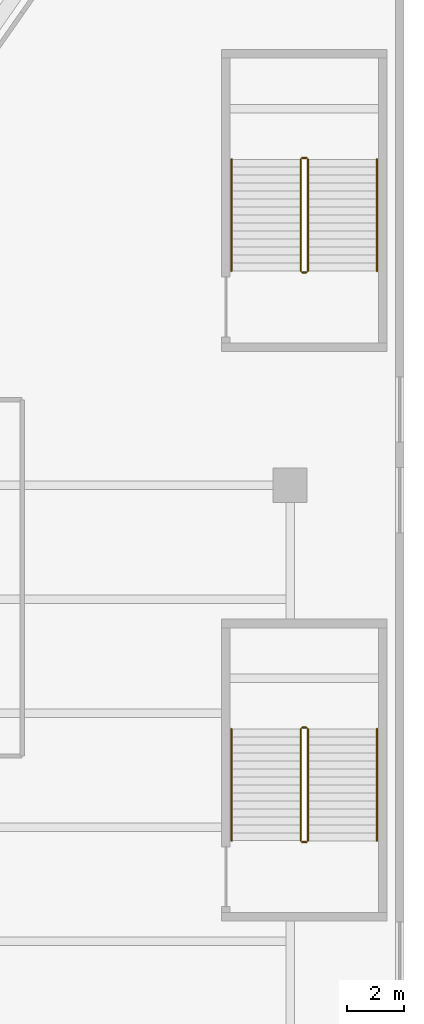
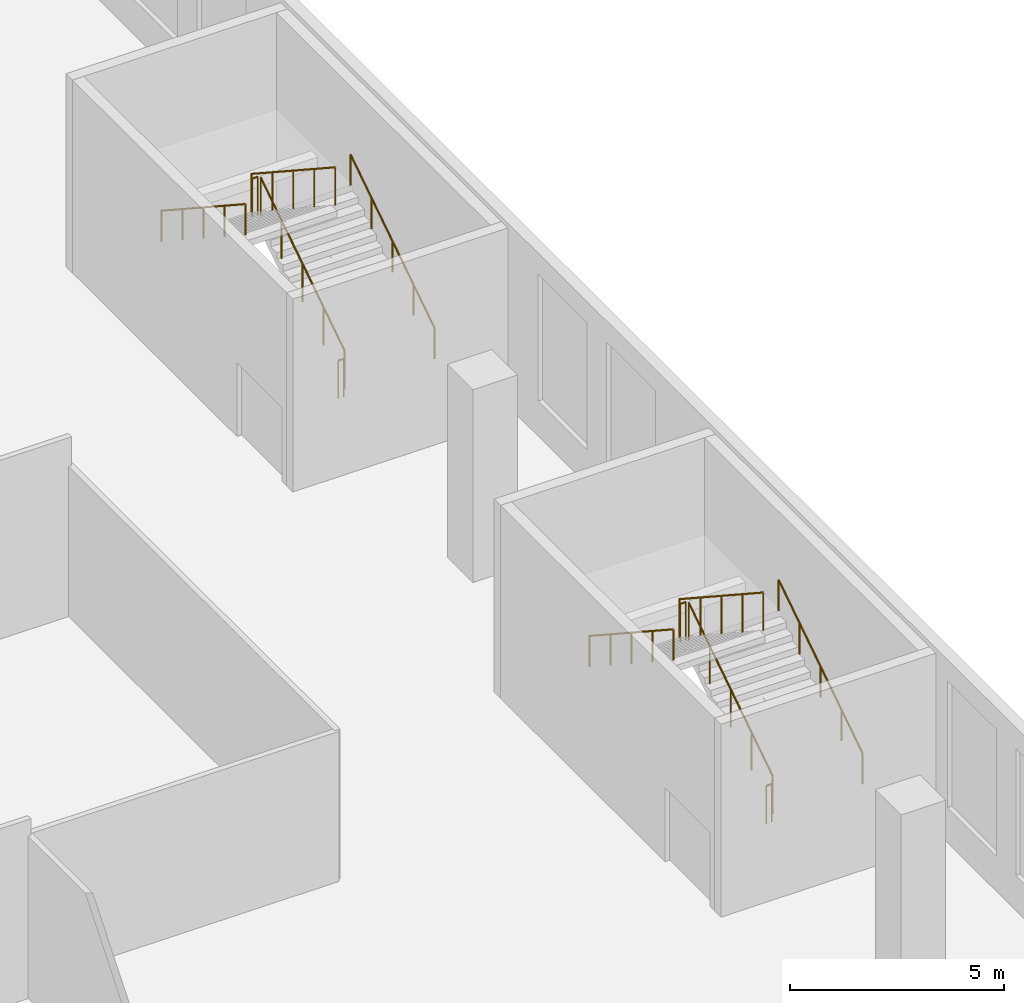
# One storey, part 23 of 26: 12 railings.
"""IFC4 building model written with IfcOpenShell, lengths in metres."""

from ifc_helpers import new_model, si_unit, direction, frame, origin, origin_2d, place, context, subcontext, project, spatial, circle, extrude, material, type_object, element, save


model = new_model("IFC4")

# Units and contexts
model_context = context("Model", 3, precision=1e-05, world=origin(), true_north=direction((0.0, 1.0)))
body_context = subcontext(model_context, "Body", "Model", "MODEL_VIEW")
ifc_project = project(units=[si_unit("LENGTHUNIT", "METRE"), si_unit("AREAUNIT", "SQUARE_METRE"), si_unit("VOLUMEUNIT", "CUBIC_METRE"), si_unit("PLANEANGLEUNIT", "RADIAN"), si_unit("MASSUNIT", "GRAM", prefix="KILO")], contexts=[model_context])

# Site, building, storey
site_placement = place(None, origin())
site = spatial("IfcSite", under=ifc_project, at=site_placement, CompositionType="ELEMENT")
building_placement = place(site_placement, origin())
building = spatial("IfcBuilding", under=site, at=building_placement, Name="Tel Ilan Convention Tower", CompositionType="ELEMENT")
storey_placement = place(building_placement, frame((0.0, 0.0, 37.5)))
storey = spatial("IfcBuildingStorey", under=building, at=storey_placement, Name="L05", CompositionType="ELEMENT", Elevation=37.5)

# Railings
ifc_material_1 = material(Name="Stainless Steel Grade 316", Category="steel")
railing_type_1 = type_object("IfcRailingType", Name="Stainless Steel Stair Guard 1100 mm", PredefinedType="GUARDRAIL", material=ifc_material_1)
railing_1_placement = place(storey_placement, frame((46.625, -60.47509765625, 0.183349609375)))
element("IfcRailing", 1, at=railing_1_placement, inside=storey, type_object=railing_type_1, Name="L05 P6 stair guard 1", PredefinedType="GUARDRAIL", context=body_context, shape_type="SweptSolid", body=[
    extrude(circle(Radius=0.02392578125, at=origin_2d()), frame((0.0, 0.0, 1.076171875), z_axis=(0.0, 0.836630751959, 0.54776727255), x_axis=(-1.0, 0.0, 0.0)), (0.0, 0.0, 1.0), 4.685546875),
    extrude(circle(Radius=0.02099609375, at=origin_2d()), origin(), (0.0, 0.0, 1.0), 1.052001953125),
    extrude(circle(Radius=0.02099609375, at=origin_2d()), frame((0.0, 0.97998046875, 0.6416015625)), (0.0, 0.0, 1.0), 1.052001953125),
    extrude(circle(Radius=0.02099609375, at=origin_2d()), frame((0.0, 1.9599609375, 1.283203125)), (0.0, 0.0, 1.0), 1.052001953125),
    extrude(circle(Radius=0.02099609375, at=origin_2d()), frame((0.0, 2.940185546875, 1.925048828125)), (0.0, 0.0, 1.0), 1.052001953125),
    extrude(circle(Radius=0.02099609375, at=origin_2d()), frame((0.0, 3.920166015625, 2.566650390625)), (0.0, 0.0, 1.0), 1.052001953125),
])
railing_2_placement = place(storey_placement, frame((46.574951171875, -56.5048828125, 2.75)))
element("IfcRailing", 2, at=railing_2_placement, inside=storey, type_object=railing_type_1, Name="L05 P6 stair guard 2", PredefinedType="GUARDRAIL", context=body_context, shape_type="SweptSolid", body=[
    extrude(circle(Radius=0.02392578125, at=origin_2d()), frame((0.0, 0.0, 1.076171875), z_axis=(-1.0, 0.0, 0.0), x_axis=(0.0, -1.0, 0.0)), (0.0, 0.0, 1.0), 0.14990234375),
    extrude(circle(Radius=0.02099609375, at=origin_2d()), origin(), (0.0, 0.0, 1.0), 1.052001953125),
    extrude(circle(Radius=0.02099609375, at=origin_2d()), frame((-0.14990234375, 0.0, 0.0)), (0.0, 0.0, 1.0), 1.052001953125),
])
railing_3_placement = place(storey_placement, frame((46.375, -56.554931640625, 2.933349609375)))
element("IfcRailing", 3, at=railing_3_placement, inside=storey, type_object=railing_type_1, Name="L05 P6 stair guard 3", PredefinedType="GUARDRAIL", context=body_context, shape_type="SweptSolid", body=[
    extrude(circle(Radius=0.02392578125, at=origin_2d()), frame((0.0, 0.0, 1.076171875), z_axis=(0.0, -0.836630751959, 0.54776727255), x_axis=(1.0, 0.0, 0.0)), (0.0, 0.0, 1.0), 4.685546875),
    extrude(circle(Radius=0.02099609375, at=origin_2d()), origin(), (0.0, 0.0, 1.0), 1.052001953125),
    extrude(circle(Radius=0.02099609375, at=origin_2d()), frame((0.0, -0.97998046875, 0.6416015625)), (0.0, 0.0, 1.0), 1.052001953125),
    extrude(circle(Radius=0.02099609375, at=origin_2d()), frame((0.0, -1.9599609375, 1.283203125)), (0.0, 0.0, 1.0), 1.052001953125),
    extrude(circle(Radius=0.02099609375, at=origin_2d()), frame((0.0, -2.940185546875, 1.925048828125)), (0.0, 0.0, 1.0), 1.052001953125),
    extrude(circle(Radius=0.02099609375, at=origin_2d()), frame((0.0, -3.920166015625, 2.566650390625)), (0.0, 0.0, 1.0), 1.052001953125),
])
railing_4_placement = place(storey_placement, frame((46.574951171875, -60.52490234375, 0.0)))
element("IfcRailing", 4, at=railing_4_placement, inside=storey, type_object=railing_type_1, Name="L05 P6 stair guard 4", PredefinedType="GUARDRAIL", context=body_context, shape_type="SweptSolid", body=[
    extrude(circle(Radius=0.02392578125, at=origin_2d()), frame((0.0, 0.0, 1.076171875), z_axis=(-1.0, 0.0, 0.0), x_axis=(0.0, -1.0, 0.0)), (0.0, 0.0, 1.0), 0.14990234375),
    extrude(circle(Radius=0.02099609375, at=origin_2d()), origin(), (0.0, 0.0, 1.0), 1.052001953125),
    extrude(circle(Radius=0.02099609375, at=origin_2d()), frame((-0.14990234375, 0.0, 0.0)), (0.0, 0.0, 1.0), 1.052001953125),
])
railing_5_placement = place(storey_placement, frame((46.625, -40.47509765625, 0.183349609375)))
element("IfcRailing", 5, at=railing_5_placement, inside=storey, type_object=railing_type_1, Name="L05 P8 stair guard 1", PredefinedType="GUARDRAIL", context=body_context, shape_type="SweptSolid", body=[
    extrude(circle(Radius=0.02392578125, at=origin_2d()), frame((0.0, 0.0, 1.076171875), z_axis=(0.0, 0.836630751959, 0.54776727255), x_axis=(-1.0, 0.0, 0.0)), (0.0, 0.0, 1.0), 4.685546875),
    extrude(circle(Radius=0.02099609375, at=origin_2d()), origin(), (0.0, 0.0, 1.0), 1.052001953125),
    extrude(circle(Radius=0.02099609375, at=origin_2d()), frame((0.0, 0.97998046875, 0.6416015625)), (0.0, 0.0, 1.0), 1.052001953125),
    extrude(circle(Radius=0.02099609375, at=origin_2d()), frame((0.0, 1.9599609375, 1.283203125)), (0.0, 0.0, 1.0), 1.052001953125),
    extrude(circle(Radius=0.02099609375, at=origin_2d()), frame((0.0, 2.940185546875, 1.925048828125)), (0.0, 0.0, 1.0), 1.052001953125),
    extrude(circle(Radius=0.02099609375, at=origin_2d()), frame((0.0, 3.920166015625, 2.566650390625)), (0.0, 0.0, 1.0), 1.052001953125),
])
railing_6_placement = place(storey_placement, frame((46.574951171875, -36.5048828125, 2.75)))
element("IfcRailing", 6, at=railing_6_placement, inside=storey, type_object=railing_type_1, Name="L05 P8 stair guard 2", PredefinedType="GUARDRAIL", context=body_context, shape_type="SweptSolid", body=[
    extrude(circle(Radius=0.02392578125, at=origin_2d()), frame((0.0, 0.0, 1.076171875), z_axis=(-1.0, 0.0, 0.0), x_axis=(0.0, -1.0, 0.0)), (0.0, 0.0, 1.0), 0.14990234375),
    extrude(circle(Radius=0.02099609375, at=origin_2d()), origin(), (0.0, 0.0, 1.0), 1.052001953125),
    extrude(circle(Radius=0.02099609375, at=origin_2d()), frame((-0.14990234375, 0.0, 0.0)), (0.0, 0.0, 1.0), 1.052001953125),
])
railing_7_placement = place(storey_placement, frame((46.375, -36.554931640625, 2.933349609375)))
element("IfcRailing", 7, at=railing_7_placement, inside=storey, type_object=railing_type_1, Name="L05 P8 stair guard 3", PredefinedType="GUARDRAIL", context=body_context, shape_type="SweptSolid", body=[
    extrude(circle(Radius=0.02392578125, at=origin_2d()), frame((0.0, 0.0, 1.076171875), z_axis=(0.0, -0.836630751959, 0.54776727255), x_axis=(1.0, 0.0, 0.0)), (0.0, 0.0, 1.0), 4.685546875),
    extrude(circle(Radius=0.02099609375, at=origin_2d()), origin(), (0.0, 0.0, 1.0), 1.052001953125),
    extrude(circle(Radius=0.02099609375, at=origin_2d()), frame((0.0, -0.97998046875, 0.6416015625)), (0.0, 0.0, 1.0), 1.052001953125),
    extrude(circle(Radius=0.02099609375, at=origin_2d()), frame((0.0, -1.9599609375, 1.283203125)), (0.0, 0.0, 1.0), 1.052001953125),
    extrude(circle(Radius=0.02099609375, at=origin_2d()), frame((0.0, -2.940185546875, 1.925048828125)), (0.0, 0.0, 1.0), 1.052001953125),
    extrude(circle(Radius=0.02099609375, at=origin_2d()), frame((0.0, -3.920166015625, 2.566650390625)), (0.0, 0.0, 1.0), 1.052001953125),
])
railing_8_placement = place(storey_placement, frame((46.574951171875, -40.52490234375, 0.0)))
element("IfcRailing", 8, at=railing_8_placement, inside=storey, type_object=railing_type_1, Name="L05 P8 stair guard 4", PredefinedType="GUARDRAIL", context=body_context, shape_type="SweptSolid", body=[
    extrude(circle(Radius=0.02392578125, at=origin_2d()), frame((0.0, 0.0, 1.076171875), z_axis=(-1.0, 0.0, 0.0), x_axis=(0.0, -1.0, 0.0)), (0.0, 0.0, 1.0), 0.14990234375),
    extrude(circle(Radius=0.02099609375, at=origin_2d()), origin(), (0.0, 0.0, 1.0), 1.052001953125),
    extrude(circle(Radius=0.02099609375, at=origin_2d()), frame((-0.14990234375, 0.0, 0.0)), (0.0, 0.0, 1.0), 1.052001953125),
])
ifc_material_2 = material(Name="Stainless Steel Grade 316", Category="steel")
railing_type_2 = type_object("IfcRailingType", Name="Stainless Steel Stair Handrail 900 mm", PredefinedType="HANDRAIL", material=ifc_material_2)
railing_9_placement = place(storey_placement, frame((49.050048828125, -60.47509765625, 0.183349609375)))
element("IfcRailing", 9, at=railing_9_placement, inside=storey, type_object=railing_type_2, Name="L05 P6 stair handrail 1", PredefinedType="HANDRAIL", context=body_context, shape_type="SweptSolid", body=[
    extrude(circle(Radius=0.02392578125, at=origin_2d()), frame((0.0, 0.0, 0.8759765625), z_axis=(0.0, 0.836630751959, 0.54776727255), x_axis=(-1.0, 0.0, 0.0)), (0.0, 0.0, 1.0), 4.685546875),
    extrude(circle(Radius=0.02099609375, at=origin_2d()), origin(), (0.0, 0.0, 1.0), 0.851806640625),
    extrude(circle(Radius=0.02099609375, at=origin_2d()), frame((0.0, 0.97998046875, 0.6416015625)), (0.0, 0.0, 1.0), 0.851806640625),
    extrude(circle(Radius=0.02099609375, at=origin_2d()), frame((0.0, 1.9599609375, 1.283203125)), (0.0, 0.0, 1.0), 0.851806640625),
    extrude(circle(Radius=0.02099609375, at=origin_2d()), frame((0.0, 2.940185546875, 1.925048828125)), (0.0, 0.0, 1.0), 0.851806640625),
    extrude(circle(Radius=0.02099609375, at=origin_2d()), frame((0.0, 3.920166015625, 2.566650390625)), (0.0, 0.0, 1.0), 0.851806640625),
])
railing_10_placement = place(storey_placement, frame((43.949951171875, -56.554931640625, 2.933349609375)))
element("IfcRailing", 10, at=railing_10_placement, inside=storey, type_object=railing_type_2, Name="L05 P6 stair handrail 2", PredefinedType="HANDRAIL", context=body_context, shape_type="SweptSolid", body=[
    extrude(circle(Radius=0.02392578125, at=origin_2d()), frame((0.0, 0.0, 0.8759765625), z_axis=(0.0, -0.836630751959, 0.54776727255), x_axis=(1.0, 0.0, 0.0)), (0.0, 0.0, 1.0), 4.685546875),
    extrude(circle(Radius=0.02099609375, at=origin_2d()), origin(), (0.0, 0.0, 1.0), 0.851806640625),
    extrude(circle(Radius=0.02099609375, at=origin_2d()), frame((0.0, -0.97998046875, 0.6416015625)), (0.0, 0.0, 1.0), 0.851806640625),
    extrude(circle(Radius=0.02099609375, at=origin_2d()), frame((0.0, -1.9599609375, 1.283203125)), (0.0, 0.0, 1.0), 0.851806640625),
    extrude(circle(Radius=0.02099609375, at=origin_2d()), frame((0.0, -2.940185546875, 1.925048828125)), (0.0, 0.0, 1.0), 0.851806640625),
    extrude(circle(Radius=0.02099609375, at=origin_2d()), frame((0.0, -3.920166015625, 2.566650390625)), (0.0, 0.0, 1.0), 0.851806640625),
])
railing_11_placement = place(storey_placement, frame((49.050048828125, -40.47509765625, 0.183349609375)))
element("IfcRailing", 11, at=railing_11_placement, inside=storey, type_object=railing_type_2, Name="L05 P8 stair handrail 1", PredefinedType="HANDRAIL", context=body_context, shape_type="SweptSolid", body=[
    extrude(circle(Radius=0.02392578125, at=origin_2d()), frame((0.0, 0.0, 0.8759765625), z_axis=(0.0, 0.836630751959, 0.54776727255), x_axis=(-1.0, 0.0, 0.0)), (0.0, 0.0, 1.0), 4.685546875),
    extrude(circle(Radius=0.02099609375, at=origin_2d()), origin(), (0.0, 0.0, 1.0), 0.851806640625),
    extrude(circle(Radius=0.02099609375, at=origin_2d()), frame((0.0, 0.97998046875, 0.6416015625)), (0.0, 0.0, 1.0), 0.851806640625),
    extrude(circle(Radius=0.02099609375, at=origin_2d()), frame((0.0, 1.9599609375, 1.283203125)), (0.0, 0.0, 1.0), 0.851806640625),
    extrude(circle(Radius=0.02099609375, at=origin_2d()), frame((0.0, 2.940185546875, 1.925048828125)), (0.0, 0.0, 1.0), 0.851806640625),
    extrude(circle(Radius=0.02099609375, at=origin_2d()), frame((0.0, 3.920166015625, 2.566650390625)), (0.0, 0.0, 1.0), 0.851806640625),
])
railing_12_placement = place(storey_placement, frame((43.949951171875, -36.554931640625, 2.933349609375)))
element("IfcRailing", 12, at=railing_12_placement, inside=storey, type_object=railing_type_2, Name="L05 P8 stair handrail 2", PredefinedType="HANDRAIL", context=body_context, shape_type="SweptSolid", body=[
    extrude(circle(Radius=0.02392578125, at=origin_2d()), frame((0.0, 0.0, 0.8759765625), z_axis=(0.0, -0.836630751959, 0.54776727255), x_axis=(1.0, 0.0, 0.0)), (0.0, 0.0, 1.0), 4.685546875),
    extrude(circle(Radius=0.02099609375, at=origin_2d()), origin(), (0.0, 0.0, 1.0), 0.851806640625),
    extrude(circle(Radius=0.02099609375, at=origin_2d()), frame((0.0, -0.97998046875, 0.6416015625)), (0.0, 0.0, 1.0), 0.851806640625),
    extrude(circle(Radius=0.02099609375, at=origin_2d()), frame((0.0, -1.9599609375, 1.283203125)), (0.0, 0.0, 1.0), 0.851806640625),
    extrude(circle(Radius=0.02099609375, at=origin_2d()), frame((0.0, -2.940185546875, 1.925048828125)), (0.0, 0.0, 1.0), 0.851806640625),
    extrude(circle(Radius=0.02099609375, at=origin_2d()), frame((0.0, -3.920166015625, 2.566650390625)), (0.0, 0.0, 1.0), 0.851806640625),
])

save(model, "model.ifc")
